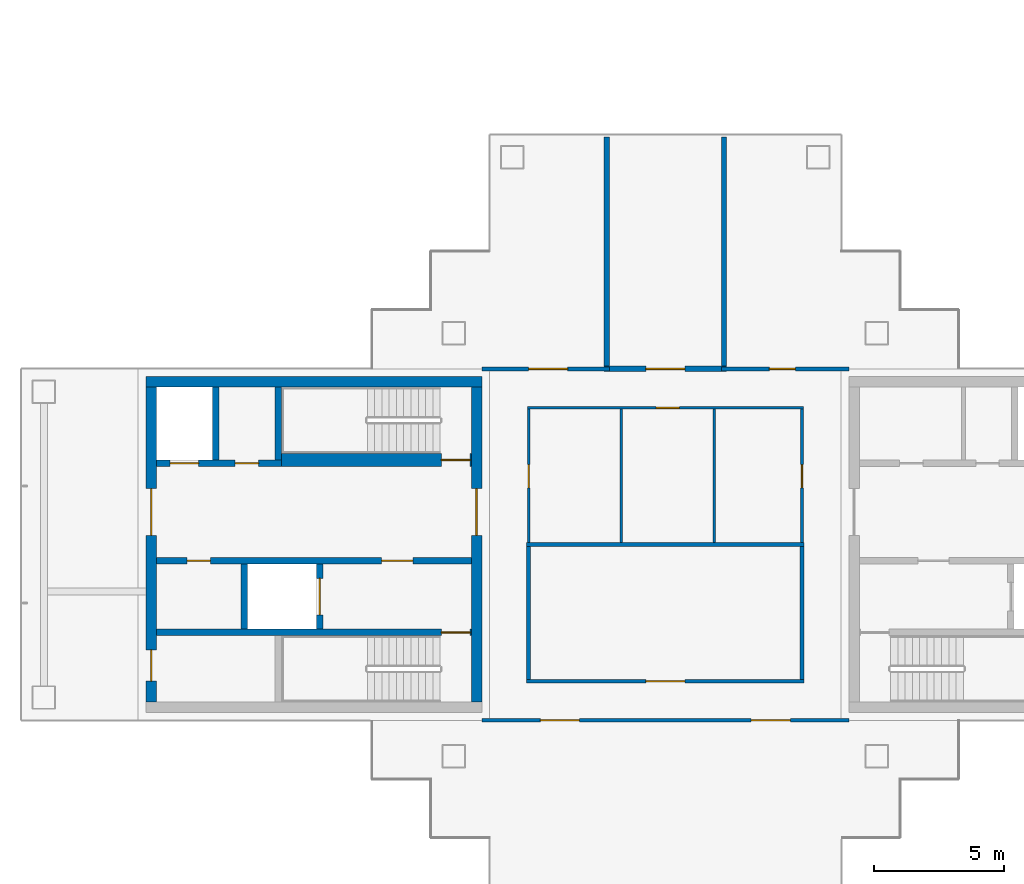
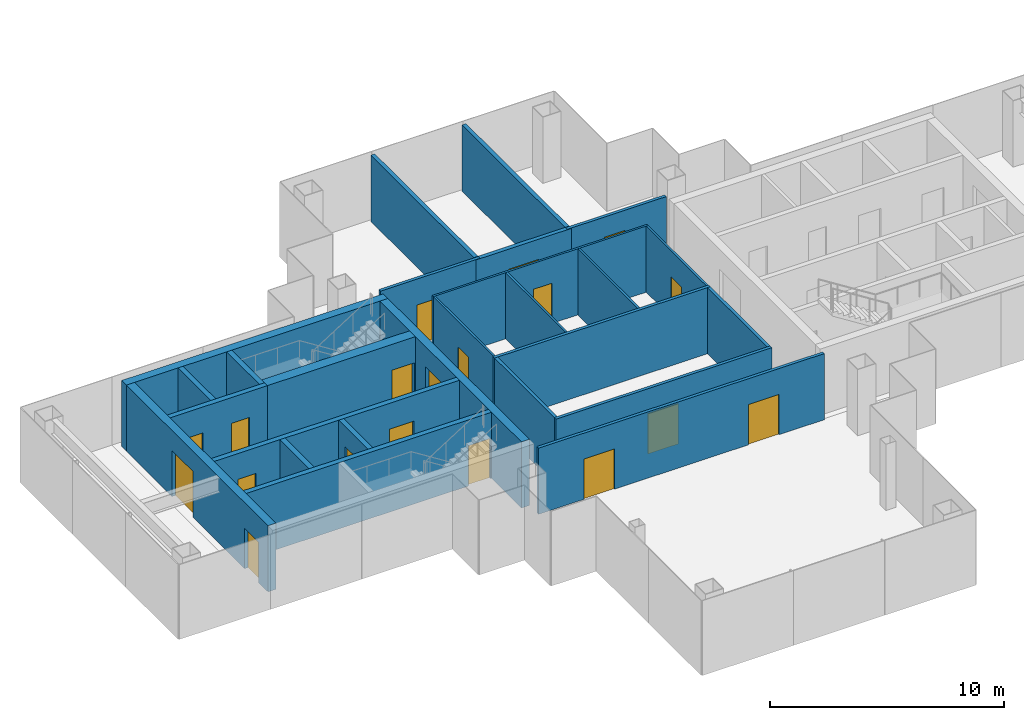
# One storey, part 9 of 15: 26 walls, 19 doors, 19 openings.
"""IFC4 building model written with IfcOpenShell, lengths in metres."""

from ifc_helpers import new_model, si_unit, direction, frame, frame_2d, origin, place, context, subcontext, project, spatial, rectangle, extrude, material, layer, layer_set, type_object, element, fill, save


model = new_model("IFC4")

# Units and contexts
model_context = context("Model", 3, precision=1e-05, world=origin(), true_north=direction((0.0, 1.0)))
body_context = subcontext(model_context, "Body", "Model", "MODEL_VIEW")
ifc_project = project(units=[si_unit("LENGTHUNIT", "METRE"), si_unit("AREAUNIT", "SQUARE_METRE"), si_unit("VOLUMEUNIT", "CUBIC_METRE"), si_unit("PLANEANGLEUNIT", "RADIAN"), si_unit("MASSUNIT", "GRAM", prefix="KILO")], contexts=[model_context])

# Site, building, storey
site_placement = place(None, origin())
site = spatial("IfcSite", under=ifc_project, at=site_placement, CompositionType="ELEMENT")
building_placement = place(site_placement, origin())
building = spatial("IfcBuilding", under=site, at=building_placement, Name="Shamsa Quay Exchange Towers", CompositionType="ELEMENT")
storey_placement = place(building_placement, frame((0.0, 0.0, 269.39990234375)))
storey = spatial("IfcBuildingStorey", under=building, at=storey_placement, Name="L65", CompositionType="ELEMENT", Elevation=269.39990234375)

# Wall, opening, door
ifc_material_1 = material(Name="Double-leaf gypsum board partition with acoustic insulation")
ifc_layer_1 = layer(ifc_material_1, 0.199951171875)
ifc_layer_set_1 = layer_set([ifc_layer_1], Name="Acoustic partition 200 mm EI 60")
wall_type_1 = type_object("IfcWallType", Name="Acoustic partition 200 mm EI 60", PredefinedType="PARTITIONING", material=ifc_layer_set_1)
wall_1_placement = place(storey_placement, frame((-36.10009765625, 6.75, 0.0)))
wall_1 = element("IfcWall", 1, at=wall_1_placement, inside=storey, type_object=wall_type_1, Name="Partition T1-R30-W09", PredefinedType="PARTITIONING", context=body_context, shape_type="SweptSolid", body=[
    extrude(rectangle(XDim=4.7001953125, YDim=0.199951171875, at=frame_2d((2.35009765625, 0.0))), origin(), (0.0, 0.0, 1.0), 3.4501953125),
])
opening_1_placement = place(wall_1_placement, frame((1.60009765625, 0.0, 0.0)))
opening_1 = element("IfcOpeningElement", 2, at=opening_1_placement, cuts=wall_1, Name="Opening T1-R30-D06", PredefinedType="OPENING", context=body_context, shape_type="SweptSolid", body=[
    extrude(rectangle(XDim=1.5, YDim=2.39990234375, at=frame_2d((0.75, 1.199951171875))), frame((0.0, 0.10986328125, 0.0), z_axis=(0.0, -1.0, 0.0), x_axis=(1.0, 0.0, 0.0)), (0.0, 0.0, 1.0), 0.219970703125),
])
ifc_material_2 = material(Name="Timber door leaf in a metal frame", Category="wood")
door_type_1 = type_object("IfcDoorType", Name="Door 1500x2400 FD30S pair", OperationType="NOTDEFINED", PredefinedType="DOOR", material=ifc_material_2)
door_1_placement = place(opening_1_placement, origin())
door_1 = element("IfcDoor", 3, at=door_1_placement, inside=storey, type_object=door_type_1, Name="Door T1-R30-D06", OperationType="DOUBLE_DOOR_SINGLE_SWING", OverallHeight=2.39990234375, OverallWidth=1.5, PredefinedType="DOOR", context=body_context, shape_type="SweptSolid", body=[
    extrude(rectangle(XDim=1.5, YDim=2.39990234375, at=frame_2d((0.75, 1.199951171875))), frame((0.0, 0.02490234375, 0.0), z_axis=(0.0, -1.0, 0.0), x_axis=(1.0, 0.0, 0.0)), (0.0, 0.0, 1.0), 0.050048828125),
])
fill(opening_1, door_1)

# Walls
for number, where, z_axis, x_axis, name in (
    (4, (-36.0, 6.85009765625, 0.0), (0.0, 0.0, 1.0), (0.0, 1.0, 0.0), "Partition T1-R30-W14"),
    (5, (-31.5, 6.85009765625, 0.0), (0.0, 0.0, 1.0), (0.0, 1.0, 0.0), "Partition T1-R30-W15"),
):
    element("IfcWall", number, at=place(storey_placement, frame(where, z_axis=z_axis, x_axis=x_axis)), inside=storey, type_object=wall_type_1, Name=name, PredefinedType="PARTITIONING", context=body_context, shape_type="SweptSolid", body=[
        extrude(rectangle(XDim=8.804931640625, YDim=0.199951171875, at=frame_2d((4.40234375, 0.0))), origin(), (0.0, 0.0, 1.0), 3.4501953125),
    ])
ifc_material_3 = material(Name="Concrete C60/75", Category="concrete")
ifc_layer_2 = layer(ifc_material_3, 0.39990234375)
ifc_layer_set_2 = layer_set([ifc_layer_2], Name="CORE WALL 400 C60/75")
wall_type_2 = type_object("IfcWallType", Name="CORE WALL 400 C60/75", PredefinedType="SHEAR", material=ifc_layer_set_2)
wall_2_placement = place(storey_placement, frame((-40.800048828125, 6.25, 0.0), z_axis=(0.0, 0.0, 1.0), x_axis=(-1.0, 0.0, 0.0)))
element("IfcWall", 6, at=wall_2_placement, inside=storey, type_object=wall_type_2, Name="Core wall T1B-R30-PN", PredefinedType="SHEAR", context=body_context, shape_type="SweptSolid", body=[
    extrude(rectangle(XDim=12.89990234375, YDim=0.39990234375, at=frame_2d((6.449951171875, 0.0))), origin(), (0.0, 0.0, 1.0), 3.4501953125),
])

# Wall, opening, door
wall_3_placement = place(storey_placement, frame((-41.0, -6.050048828125, 0.0), z_axis=(0.0, 0.0, 1.0), x_axis=(0.0, 1.0, 0.0)))
wall_3 = element("IfcWall", 7, at=wall_3_placement, inside=storey, type_object=wall_type_2, Name="Core wall T1B-R30-PF", PredefinedType="SHEAR", context=body_context, shape_type="SweptSolid", body=[
    extrude(rectangle(XDim=12.10009765625, YDim=0.39990234375, at=frame_2d((6.050048828125, 0.0))), origin(), (0.0, 0.0, 1.0), 3.4501953125),
])
opening_2_placement = place(wall_3_placement, frame((6.39990234375, 0.0, 0.0)))
opening_2 = element("IfcOpeningElement", 8, at=opening_2_placement, cuts=wall_3, Name="Opening T1B-R30-LBD01", PredefinedType="OPENING", context=body_context, shape_type="SweptSolid", body=[
    extrude(rectangle(XDim=1.800048828125, YDim=2.39990234375, at=frame_2d((0.89990234375, 1.199951171875))), frame((0.0, 0.2099609375, 0.0), z_axis=(0.0, -1.0, 0.0), x_axis=(1.0, 0.0, 0.0)), (0.0, 0.0, 1.0), 0.419921875),
])
ifc_material_4 = material(Name="Steel, fire rated", Category="steel")
door_type_2 = type_object("IfcDoorType", Name="LIFT LOBBY DOOR PAIR 1800", OperationType="DOUBLE_DOOR_SINGLE_SWING", PredefinedType="DOOR", material=ifc_material_4)
door_2_placement = place(opening_2_placement, origin())
door_2 = element("IfcDoor", 9, at=door_2_placement, inside=storey, type_object=door_type_2, Name="T1B-R30-LBD01", OperationType="DOUBLE_DOOR_SINGLE_SWING", OverallHeight=2.39990234375, OverallWidth=1.800048828125, PredefinedType="DOOR", context=body_context, shape_type="SweptSolid", body=[
    extrude(rectangle(XDim=1.800048828125, YDim=2.39990234375, at=frame_2d((0.89990234375, 1.199951171875))), frame((0.0, 0.02490234375, 0.0), z_axis=(0.0, -1.0, 0.0), x_axis=(1.0, 0.0, 0.0)), (0.0, 0.0, 1.0), 0.050048828125),
])
fill(opening_2, door_2)

# Wall, openings, doors
wall_4_placement = place(storey_placement, frame((-53.5, -6.050048828125, 0.0), z_axis=(0.0, 0.0, 1.0), x_axis=(0.0, 1.0, 0.0)))
wall_4 = element("IfcWall", 10, at=wall_4_placement, inside=storey, type_object=wall_type_2, Name="Core wall T1B-R30-PB", PredefinedType="SHEAR", context=body_context, shape_type="SweptSolid", body=[
    extrude(rectangle(XDim=12.10009765625, YDim=0.39990234375, at=frame_2d((6.050048828125, 0.0))), origin(), (0.0, 0.0, 1.0), 3.4501953125),
])
opening_3_placement = place(wall_4_placement, frame((0.800048828125, 0.0, 0.0)))
opening_3 = element("IfcOpeningElement", 11, at=opening_3_placement, cuts=wall_4, Name="Opening T1B-R30-RD02", PredefinedType="OPENING", context=body_context, shape_type="SweptSolid", body=[
    extrude(rectangle(XDim=1.199951171875, YDim=2.10009765625, at=frame_2d((0.60009765625, 1.050048828125))), frame((0.0, 0.2099609375, 0.0), z_axis=(0.0, -1.0, 0.0), x_axis=(1.0, 0.0, 0.0)), (0.0, 0.0, 1.0), 0.419921875),
])
opening_4_placement = place(wall_4_placement, frame((6.39990234375, 0.0, 0.0)))
opening_4 = element("IfcOpeningElement", 12, at=opening_4_placement, cuts=wall_4, Name="Opening T1B-R30-LBD03", PredefinedType="OPENING", context=body_context, shape_type="SweptSolid", body=[
    extrude(rectangle(XDim=1.800048828125, YDim=2.39990234375, at=frame_2d((0.89990234375, 1.199951171875))), frame((0.0, 0.2099609375, 0.0), z_axis=(0.0, -1.0, 0.0), x_axis=(1.0, 0.0, 0.0)), (0.0, 0.0, 1.0), 0.419921875),
])
door_3_placement = place(opening_4_placement, origin())
door_3 = element("IfcDoor", 13, at=door_3_placement, inside=storey, type_object=door_type_2, Name="T1B-R30-LBD03", OperationType="DOUBLE_DOOR_SINGLE_SWING", OverallHeight=2.39990234375, OverallWidth=1.800048828125, PredefinedType="DOOR", context=body_context, shape_type="SweptSolid", body=[
    extrude(rectangle(XDim=1.800048828125, YDim=2.39990234375, at=frame_2d((0.89990234375, 1.199951171875))), frame((0.0, 0.02490234375, 0.0), z_axis=(0.0, -1.0, 0.0), x_axis=(1.0, 0.0, 0.0)), (0.0, 0.0, 1.0), 0.050048828125),
])
fill(opening_4, door_3)
door_type_3 = type_object("IfcDoorType", Name="RISER ACCESS DOOR 1200", OperationType="SINGLE_SWING_LEFT", PredefinedType="DOOR", material=ifc_material_4)
door_4_placement = place(opening_3_placement, origin())
door_4 = element("IfcDoor", 14, at=door_4_placement, inside=storey, type_object=door_type_3, Name="T1B-R30-RD02", OperationType="SINGLE_SWING_LEFT", OverallHeight=2.10009765625, OverallWidth=1.199951171875, PredefinedType="DOOR", context=body_context, shape_type="SweptSolid", body=[
    extrude(rectangle(XDim=1.199951171875, YDim=2.10009765625, at=frame_2d((0.60009765625, 1.050048828125))), frame((0.0, 0.02490234375, 0.0), z_axis=(0.0, -1.0, 0.0), x_axis=(1.0, 0.0, 0.0)), (0.0, 0.0, 1.0), 0.050048828125),
])
fill(opening_3, door_4)

# Wall, opening, door
ifc_material_5 = material(Name="Gypsum board partition on metal studs")
ifc_layer_3 = layer(ifc_material_5, 0.10009765625)
ifc_layer_set_3 = layer_set([ifc_layer_3], Name="Partition 100 mm NOT RATED")
wall_type_3 = type_object("IfcWallType", Name="Partition 100 mm NOT RATED", PredefinedType="PARTITIONING", material=ifc_layer_set_3)
wall_5_placement = place(storey_placement, frame((-39.0, 5.199951171875, 0.0), z_axis=(0.0, 0.0, 1.0), x_axis=(0.0, -1.0, 0.0)))
wall_5 = element("IfcWall", 15, at=wall_5_placement, inside=storey, type_object=wall_type_3, Name="Partition T1-R30-W04", PredefinedType="PARTITIONING", context=body_context, shape_type="SweptSolid", body=[
    extrude(rectangle(XDim=5.125, YDim=0.10009765625, at=frame_2d((2.5625, 0.0))), origin(), (0.0, 0.0, 1.0), 3.4501953125),
])
opening_5_placement = place(wall_5_placement, frame((2.125, 0.0, 0.0)))
opening_5 = element("IfcOpeningElement", 16, at=opening_5_placement, cuts=wall_5, Name="Opening T1-R30-D05", PredefinedType="OPENING", context=body_context, shape_type="SweptSolid", body=[
    extrude(rectangle(XDim=0.89990234375, YDim=2.10009765625, at=frame_2d((0.449951171875, 1.050048828125))), frame((0.0, 0.06005859375, 0.0), z_axis=(0.0, -1.0, 0.0), x_axis=(1.0, 0.0, 0.0)), (0.0, 0.0, 1.0), 0.1201171875),
])
door_type_4 = type_object("IfcDoorType", Name="Door 900x2100 NOT RATED", OperationType="NOTDEFINED", PredefinedType="DOOR", material=ifc_material_2)
door_5_placement = place(opening_5_placement, origin())
door_5 = element("IfcDoor", 17, at=door_5_placement, inside=storey, type_object=door_type_4, Name="Door T1-R30-D05", OperationType="SINGLE_SWING_LEFT", OverallHeight=2.10009765625, OverallWidth=0.89990234375, PredefinedType="DOOR", context=body_context, shape_type="SweptSolid", body=[
    extrude(rectangle(XDim=0.89990234375, YDim=2.10009765625, at=frame_2d((0.449951171875, 1.050048828125))), frame((0.0, 0.02490234375, 0.0), z_axis=(0.0, -1.0, 0.0), x_axis=(1.0, 0.0, 0.0)), (0.0, 0.0, 1.0), 0.050048828125),
])
fill(opening_5, door_5)

wall_6_placement = place(storey_placement, frame((-28.449951171875, 5.25, 0.0), z_axis=(0.0, 0.0, 1.0), x_axis=(-1.0, 0.0, 0.0)))
wall_6 = element("IfcWall", 18, at=wall_6_placement, inside=storey, type_object=wall_type_3, Name="Partition T1-R30-W05", PredefinedType="PARTITIONING", context=body_context, shape_type="SweptSolid", body=[
    extrude(rectangle(XDim=10.60009765625, YDim=0.10009765625, at=frame_2d((5.300048828125, 0.0))), origin(), (0.0, 0.0, 1.0), 3.4501953125),
])
opening_6_placement = place(wall_6_placement, frame((4.756103515625, 0.0, 0.0)))
opening_6 = element("IfcOpeningElement", 19, at=opening_6_placement, cuts=wall_6, Name="Opening T1-R30-D09", PredefinedType="OPENING", context=body_context, shape_type="SweptSolid", body=[
    extrude(rectangle(XDim=0.89990234375, YDim=2.10009765625, at=frame_2d((0.449951171875, 1.050048828125))), frame((0.0, 0.06005859375, 0.0), z_axis=(0.0, -1.0, 0.0), x_axis=(1.0, 0.0, 0.0)), (0.0, 0.0, 1.0), 0.1201171875),
])
door_6_placement = place(opening_6_placement, origin())
door_6 = element("IfcDoor", 20, at=door_6_placement, inside=storey, type_object=door_type_4, Name="Door T1-R30-D09", OperationType="SINGLE_SWING_LEFT", OverallHeight=2.10009765625, OverallWidth=0.89990234375, PredefinedType="DOOR", context=body_context, shape_type="SweptSolid", body=[
    extrude(rectangle(XDim=0.89990234375, YDim=2.10009765625, at=frame_2d((0.449951171875, 1.050048828125))), frame((0.0, 0.02490234375, 0.0), z_axis=(0.0, -1.0, 0.0), x_axis=(1.0, 0.0, 0.0)), (0.0, 0.0, 1.0), 0.050048828125),
])
fill(opening_6, door_6)

wall_7_placement = place(storey_placement, frame((-28.5, 0.074951171875, 0.0), z_axis=(0.0, 0.0, 1.0), x_axis=(0.0, 1.0, 0.0)))
wall_7 = element("IfcWall", 21, at=wall_7_placement, inside=storey, type_object=wall_type_3, Name="Partition T1-R30-W06", PredefinedType="PARTITIONING", context=body_context, shape_type="SweptSolid", body=[
    extrude(rectangle(XDim=5.125, YDim=0.10009765625, at=frame_2d((2.5625, 0.0))), origin(), (0.0, 0.0, 1.0), 3.4501953125),
])
opening_7_placement = place(wall_7_placement, frame((2.10009765625, 0.0, 0.0)))
opening_7 = element("IfcOpeningElement", 22, at=opening_7_placement, cuts=wall_7, Name="Opening T1-R30-D08", PredefinedType="OPENING", context=body_context, shape_type="SweptSolid", body=[
    extrude(rectangle(XDim=0.89990234375, YDim=2.10009765625, at=frame_2d((0.449951171875, 1.050048828125))), frame((0.0, 0.06005859375, 0.0), z_axis=(0.0, -1.0, 0.0), x_axis=(1.0, 0.0, 0.0)), (0.0, 0.0, 1.0), 0.1201171875),
])
door_7_placement = place(opening_7_placement, origin())
door_7 = element("IfcDoor", 23, at=door_7_placement, inside=storey, type_object=door_type_4, Name="Door T1-R30-D08", OperationType="SINGLE_SWING_RIGHT", OverallHeight=2.10009765625, OverallWidth=0.89990234375, PredefinedType="DOOR", context=body_context, shape_type="SweptSolid", body=[
    extrude(rectangle(XDim=0.89990234375, YDim=2.10009765625, at=frame_2d((0.449951171875, 1.050048828125))), frame((0.0, 0.02490234375, 0.0), z_axis=(0.0, -1.0, 0.0), x_axis=(1.0, 0.0, 0.0)), (0.0, 0.0, 1.0), 0.050048828125),
])
fill(opening_7, door_7)

# Walls
for number, where, z_axis, x_axis, name in (
    (24, (-35.4375, 0.074951171875, 0.0), (0.0, 0.0, 1.0), (0.0, 1.0, 0.0), "Partition T1-R30-W12"),
    (25, (-31.875, 0.074951171875, 0.0), (0.0, 0.0, 1.0), (0.0, 1.0, 0.0), "Partition T1-R30-W13"),
):
    element("IfcWall", number, at=place(storey_placement, frame(where, z_axis=z_axis, x_axis=x_axis)), inside=storey, type_object=wall_type_3, Name=name, PredefinedType="PARTITIONING", context=body_context, shape_type="SweptSolid", body=[
        extrude(rectangle(XDim=5.125, YDim=0.10009765625, at=frame_2d((2.5625, 0.0))), origin(), (0.0, 0.0, 1.0), 3.4501953125),
    ])
ifc_layer_4 = layer(ifc_material_5, 0.14990234375)
ifc_layer_set_4 = layer_set([ifc_layer_4], Name="Partition 150 mm EI 60")
wall_type_4 = type_object("IfcWallType", Name="Partition 150 mm EI 60", PredefinedType="PARTITIONING", material=ifc_layer_set_4)
wall_8_placement = place(storey_placement, frame((-39.0, -0.074951171875, 0.0), z_axis=(0.0, 0.0, 1.0), x_axis=(0.0, -1.0, 0.0)))
element("IfcWall", 26, at=wall_8_placement, inside=storey, type_object=wall_type_4, Name="Partition T1-R30-W01", PredefinedType="PARTITIONING", context=body_context, shape_type="SweptSolid", body=[
    extrude(rectangle(XDim=5.10009765625, YDim=0.14990234375, at=frame_2d((2.550048828125, 0.0))), origin(), (0.0, 0.0, 1.0), 3.4501953125),
])

# Wall, opening, door
wall_9_placement = place(storey_placement, frame((-39.074951171875, -5.25, 0.0)))
wall_9 = element("IfcWall", 27, at=wall_9_placement, inside=storey, type_object=wall_type_4, Name="Partition T1-R30-W02", PredefinedType="PARTITIONING", context=body_context, shape_type="SweptSolid", body=[
    extrude(rectangle(XDim=10.64990234375, YDim=0.14990234375, at=frame_2d((5.324951171875, 0.0))), origin(), (0.0, 0.0, 1.0), 3.4501953125),
])
opening_8_placement = place(wall_9_placement, frame((4.574951171875, 0.0, 0.0)))
opening_8 = element("IfcOpeningElement", 28, at=opening_8_placement, cuts=wall_9, Name="Opening T1-R30-D04", PredefinedType="OPENING", context=body_context, shape_type="SweptSolid", body=[
    extrude(rectangle(XDim=1.5, YDim=2.10009765625, at=frame_2d((0.75, 1.050048828125))), frame((0.0, 0.0849609375, 0.0), z_axis=(0.0, -1.0, 0.0), x_axis=(1.0, 0.0, 0.0)), (0.0, 0.0, 1.0), 0.169921875),
])
door_type_5 = type_object("IfcDoorType", Name="Door 1500x2100 FD30S pair", OperationType="NOTDEFINED", PredefinedType="DOOR", material=ifc_material_2)
door_8_placement = place(opening_8_placement, origin())
door_8 = element("IfcDoor", 29, at=door_8_placement, inside=storey, type_object=door_type_5, Name="Door T1-R30-D04", OperationType="DOUBLE_DOOR_SINGLE_SWING", OverallHeight=2.10009765625, OverallWidth=1.5, PredefinedType="DOOR", context=body_context, shape_type="SweptSolid", body=[
    extrude(rectangle(XDim=1.5, YDim=2.10009765625, at=frame_2d((0.75, 1.050048828125))), frame((0.0, 0.02490234375, 0.0), z_axis=(0.0, -1.0, 0.0), x_axis=(1.0, 0.0, 0.0)), (0.0, 0.0, 1.0), 0.050048828125),
])
fill(opening_8, door_8)

# Wall
wall_10_placement = place(storey_placement, frame((-28.5, -5.175048828125, 0.0), z_axis=(0.0, 0.0, 1.0), x_axis=(0.0, 1.0, 0.0)))
element("IfcWall", 30, at=wall_10_placement, inside=storey, type_object=wall_type_4, Name="Partition T1-R30-W03", PredefinedType="PARTITIONING", context=body_context, shape_type="SweptSolid", body=[
    extrude(rectangle(XDim=5.10009765625, YDim=0.14990234375, at=frame_2d((2.550048828125, 0.0))), origin(), (0.0, 0.0, 1.0), 3.4501953125),
])

# Wall, opening, door
wall_11_placement = place(storey_placement, frame((-40.800048828125, 6.75, 0.0)))
wall_11 = element("IfcWall", 31, at=wall_11_placement, inside=storey, type_object=wall_type_4, Name="Partition T1-R30-W07", PredefinedType="PARTITIONING", context=body_context, shape_type="SweptSolid", body=[
    extrude(rectangle(XDim=4.900146484375, YDim=0.14990234375, at=frame_2d((2.4501953125, 0.0))), origin(), (0.0, 0.0, 1.0), 3.4501953125),
])
opening_9_placement = place(wall_11_placement, frame((1.800048828125, 0.0, 0.0)))
opening_9 = element("IfcOpeningElement", 32, at=opening_9_placement, cuts=wall_11, Name="Opening T1-R30-D03", PredefinedType="OPENING", context=body_context, shape_type="SweptSolid", body=[
    extrude(rectangle(XDim=1.5, YDim=2.10009765625, at=frame_2d((0.75, 1.050048828125))), frame((0.0, 0.0849609375, 0.0), z_axis=(0.0, -1.0, 0.0), x_axis=(1.0, 0.0, 0.0)), (0.0, 0.0, 1.0), 0.169921875),
])
door_9_placement = place(opening_9_placement, origin())
door_9 = element("IfcDoor", 33, at=door_9_placement, inside=storey, type_object=door_type_5, Name="Door T1-R30-D03", OperationType="DOUBLE_DOOR_SINGLE_SWING", OverallHeight=2.10009765625, OverallWidth=1.5, PredefinedType="DOOR", context=body_context, shape_type="SweptSolid", body=[
    extrude(rectangle(XDim=1.5, YDim=2.10009765625, at=frame_2d((0.75, 1.050048828125))), frame((0.0, 0.02490234375, 0.0), z_axis=(0.0, -1.0, 0.0), x_axis=(1.0, 0.0, 0.0)), (0.0, 0.0, 1.0), 0.050048828125),
])
fill(opening_9, door_9)

wall_12_placement = place(storey_placement, frame((-31.60009765625, 6.75, 0.0)))
wall_12 = element("IfcWall", 34, at=wall_12_placement, inside=storey, type_object=wall_type_4, Name="Partition T1-R30-W08", PredefinedType="PARTITIONING", context=body_context, shape_type="SweptSolid", body=[
    extrude(rectangle(XDim=4.900146484375, YDim=0.14990234375, at=frame_2d((2.4501953125, 0.0))), origin(), (0.0, 0.0, 1.0), 3.4501953125),
])
opening_10_placement = place(wall_12_placement, frame((1.85009765625, 0.0, 0.0)))
opening_10 = element("IfcOpeningElement", 35, at=opening_10_placement, cuts=wall_12, Name="Opening T1-R30-D07", PredefinedType="OPENING", context=body_context, shape_type="SweptSolid", body=[
    extrude(rectangle(XDim=1.0, YDim=2.39990234375, at=frame_2d((0.5, 1.199951171875))), frame((0.0, 0.0849609375, 0.0), z_axis=(0.0, -1.0, 0.0), x_axis=(1.0, 0.0, 0.0)), (0.0, 0.0, 1.0), 0.169921875),
])
door_type_6 = type_object("IfcDoorType", Name="Door 1000x2400 FD30S", OperationType="NOTDEFINED", PredefinedType="DOOR", material=ifc_material_2)
door_10_placement = place(opening_10_placement, origin())
door_10 = element("IfcDoor", 36, at=door_10_placement, inside=storey, type_object=door_type_6, Name="Door T1-R30-D07", OperationType="SINGLE_SWING_RIGHT", OverallHeight=2.39990234375, OverallWidth=1.0, PredefinedType="DOOR", context=body_context, shape_type="SweptSolid", body=[
    extrude(rectangle(XDim=1.0, YDim=2.39990234375, at=frame_2d((0.5, 1.199951171875))), frame((0.0, 0.02490234375, 0.0), z_axis=(0.0, -1.0, 0.0), x_axis=(1.0, 0.0, 0.0)), (0.0, 0.0, 1.0), 0.050048828125),
])
fill(opening_10, door_10)

# Wall, openings, doors
wall_13_placement = place(storey_placement, frame((-40.800048828125, -6.75, 0.0)))
wall_13 = element("IfcWall", 37, at=wall_13_placement, inside=storey, type_object=wall_type_4, Name="Partition T1-R30-W10", PredefinedType="PARTITIONING", context=body_context, shape_type="SweptSolid", body=[
    extrude(rectangle(XDim=14.10009765625, YDim=0.14990234375, at=frame_2d((7.050048828125, 0.0))), origin(), (0.0, 0.0, 1.0), 3.4501953125),
])
opening_11_placement = place(wall_13_placement, frame((2.25, 0.0, 0.0)))
opening_11 = element("IfcOpeningElement", 38, at=opening_11_placement, cuts=wall_13, Name="Opening T1-R30-D01", PredefinedType="OPENING", context=body_context, shape_type="SweptSolid", body=[
    extrude(rectangle(XDim=1.5, YDim=2.10009765625, at=frame_2d((0.75, 1.050048828125))), frame((0.0, 0.0849609375, 0.0), z_axis=(0.0, -1.0, 0.0), x_axis=(1.0, 0.0, 0.0)), (0.0, 0.0, 1.0), 0.169921875),
])
opening_12_placement = place(wall_13_placement, frame((10.35009765625, 0.0, 0.0)))
opening_12 = element("IfcOpeningElement", 39, at=opening_12_placement, cuts=wall_13, Name="Opening T1-R30-D02", PredefinedType="OPENING", context=body_context, shape_type="SweptSolid", body=[
    extrude(rectangle(XDim=1.5, YDim=2.10009765625, at=frame_2d((0.75, 1.050048828125))), frame((0.0, 0.0849609375, 0.0), z_axis=(0.0, -1.0, 0.0), x_axis=(1.0, 0.0, 0.0)), (0.0, 0.0, 1.0), 0.169921875),
])
door_11_placement = place(opening_11_placement, origin())
door_11 = element("IfcDoor", 40, at=door_11_placement, inside=storey, type_object=door_type_5, Name="Door T1-R30-D01", OperationType="DOUBLE_DOOR_SINGLE_SWING", OverallHeight=2.10009765625, OverallWidth=1.5, PredefinedType="DOOR", context=body_context, shape_type="SweptSolid", body=[
    extrude(rectangle(XDim=1.5, YDim=2.10009765625, at=frame_2d((0.75, 1.050048828125))), frame((0.0, 0.02490234375, 0.0), z_axis=(0.0, -1.0, 0.0), x_axis=(1.0, 0.0, 0.0)), (0.0, 0.0, 1.0), 0.050048828125),
])
fill(opening_11, door_11)
door_12_placement = place(opening_12_placement, origin())
door_12 = element("IfcDoor", 41, at=door_12_placement, inside=storey, type_object=door_type_5, Name="Door T1-R30-D02", OperationType="DOUBLE_DOOR_SINGLE_SWING", OverallHeight=2.10009765625, OverallWidth=1.5, PredefinedType="DOOR", context=body_context, shape_type="SweptSolid", body=[
    extrude(rectangle(XDim=1.5, YDim=2.10009765625, at=frame_2d((0.75, 1.050048828125))), frame((0.0, 0.02490234375, 0.0), z_axis=(0.0, -1.0, 0.0), x_axis=(1.0, 0.0, 0.0)), (0.0, 0.0, 1.0), 0.050048828125),
])
fill(opening_12, door_12)

# Wall
wall_14_placement = place(storey_placement, frame((-28.425048828125, 0.0, 0.0), z_axis=(0.0, 0.0, 1.0), x_axis=(-1.0, 0.0, 0.0)))
element("IfcWall", 42, at=wall_14_placement, inside=storey, type_object=wall_type_4, Name="Partition T1-R30-W11", PredefinedType="PARTITIONING", context=body_context, shape_type="SweptSolid", body=[
    extrude(rectangle(XDim=10.64990234375, YDim=0.14990234375, at=frame_2d((5.324951171875, 0.0))), origin(), (0.0, 0.0, 1.0), 3.4501953125),
])

# Wall, opening, door
ifc_material_6 = material(Name="Concrete C50/60", Category="concrete")
ifc_layer_5 = layer(ifc_material_6, 0.25)
ifc_layer_set_5 = layer_set([ifc_layer_5], Name="SHAFT WALL 250 C50/60")
wall_type_5 = type_object("IfcWallType", Name="SHAFT WALL 250 C50/60", PredefinedType="SHEAR", material=ifc_layer_set_5)
wall_15_placement = place(storey_placement, frame((-41.199951171875, -3.375, 0.0), z_axis=(0.0, 0.0, 1.0), x_axis=(-1.0, 0.0, 0.0)))
wall_15 = element("IfcWall", 43, at=wall_15_placement, inside=storey, type_object=wall_type_5, Name="Shaft wall T1B-R30-STL", PredefinedType="SHEAR", context=body_context, shape_type="SweptSolid", body=[
    extrude(rectangle(XDim=12.10009765625, YDim=0.25, at=frame_2d((6.050048828125, 0.0))), origin(), (0.0, 0.0, 1.0), 3.4501953125),
])
opening_13_placement = place(wall_15_placement, frame((0.050048828125, 0.0, 0.0)))
opening_13 = element("IfcOpeningElement", 44, at=opening_13_placement, cuts=wall_15, Name="Opening T1B-R30-SD04", PredefinedType="OPENING", context=body_context, shape_type="SweptSolid", body=[
    extrude(rectangle(XDim=1.10009765625, YDim=2.10009765625, at=frame_2d((0.550048828125, 1.050048828125))), frame((0.0, 0.135009765625, 0.0), z_axis=(0.0, -1.0, 0.0), x_axis=(1.0, 0.0, 0.0)), (0.0, 0.0, 1.0), 0.27001953125),
])
door_type_7 = type_object("IfcDoorType", Name="STAIR DOOR 1100", OperationType="SINGLE_SWING_LEFT", PredefinedType="DOOR", material=ifc_material_4)
door_13_placement = place(opening_13_placement, origin())
door_13 = element("IfcDoor", 45, at=door_13_placement, inside=storey, type_object=door_type_7, Name="T1B-R30-SD04", OperationType="SINGLE_SWING_LEFT", OverallHeight=2.10009765625, OverallWidth=1.10009765625, PredefinedType="DOOR", context=body_context, shape_type="SweptSolid", body=[
    extrude(rectangle(XDim=1.10009765625, YDim=2.10009765625, at=frame_2d((0.550048828125, 1.050048828125))), frame((0.0, 0.02490234375, 0.0), z_axis=(0.0, -1.0, 0.0), x_axis=(1.0, 0.0, 0.0)), (0.0, 0.0, 1.0), 0.050048828125),
])
fill(opening_13, door_13)

# Wall, openings, doors
wall_16_placement = place(storey_placement, frame((-41.199951171875, -0.625, 0.0), z_axis=(0.0, 0.0, 1.0), x_axis=(-1.0, 0.0, 0.0)))
wall_16 = element("IfcWall", 46, at=wall_16_placement, inside=storey, type_object=wall_type_5, Name="Shaft wall T1B-R30-B", PredefinedType="SHEAR", context=body_context, shape_type="SweptSolid", body=[
    extrude(rectangle(XDim=12.10009765625, YDim=0.25, at=frame_2d((6.050048828125, 0.0))), origin(), (0.0, 0.0, 1.0), 3.4501953125),
])
opening_14_placement = place(wall_16_placement, frame((2.25, 0.0, 0.0)))
opening_14 = element("IfcOpeningElement", 47, at=opening_14_placement, cuts=wall_16, Name="Opening T1B-R30-FD05", PredefinedType="OPENING", context=body_context, shape_type="SweptSolid", body=[
    extrude(rectangle(XDim=1.199951171875, YDim=2.10009765625, at=frame_2d((0.60009765625, 1.050048828125))), frame((0.0, 0.135009765625, 0.0), z_axis=(0.0, -1.0, 0.0), x_axis=(1.0, 0.0, 0.0)), (0.0, 0.0, 1.0), 0.27001953125),
])
opening_15_placement = place(wall_16_placement, frame((10.02490234375, 0.0, 0.0)))
opening_15 = element("IfcOpeningElement", 48, at=opening_15_placement, cuts=wall_16, Name="Opening T1B-R30-SV06", PredefinedType="OPENING", context=body_context, shape_type="SweptSolid", body=[
    extrude(rectangle(XDim=0.89990234375, YDim=2.10009765625, at=frame_2d((0.449951171875, 1.050048828125))), frame((0.0, 0.135009765625, 0.0), z_axis=(0.0, -1.0, 0.0), x_axis=(1.0, 0.0, 0.0)), (0.0, 0.0, 1.0), 0.27001953125),
])
door_type_8 = type_object("IfcDoorType", Name="FIRE SERVICE LOBBY DOOR 1200", OperationType="SINGLE_SWING_LEFT", PredefinedType="DOOR", material=ifc_material_4)
door_14_placement = place(opening_14_placement, origin())
door_14 = element("IfcDoor", 49, at=door_14_placement, inside=storey, type_object=door_type_8, Name="T1B-R30-FD05", OperationType="SINGLE_SWING_LEFT", OverallHeight=2.10009765625, OverallWidth=1.199951171875, PredefinedType="DOOR", context=body_context, shape_type="SweptSolid", body=[
    extrude(rectangle(XDim=1.199951171875, YDim=2.10009765625, at=frame_2d((0.60009765625, 1.050048828125))), frame((0.0, 0.02490234375, 0.0), z_axis=(0.0, -1.0, 0.0), x_axis=(1.0, 0.0, 0.0)), (0.0, 0.0, 1.0), 0.050048828125),
])
fill(opening_14, door_14)
door_type_9 = type_object("IfcDoorType", Name="SERVICE ROOM DOOR 900", OperationType="SINGLE_SWING_LEFT", PredefinedType="DOOR", material=ifc_material_4)
door_15_placement = place(opening_15_placement, origin())
door_15 = element("IfcDoor", 50, at=door_15_placement, inside=storey, type_object=door_type_9, Name="T1B-R30-SV06", OperationType="SINGLE_SWING_RIGHT", OverallHeight=2.10009765625, OverallWidth=0.89990234375, PredefinedType="DOOR", context=body_context, shape_type="SweptSolid", body=[
    extrude(rectangle(XDim=0.89990234375, YDim=2.10009765625, at=frame_2d((0.449951171875, 1.050048828125))), frame((0.0, 0.02490234375, 0.0), z_axis=(0.0, -1.0, 0.0), x_axis=(1.0, 0.0, 0.0)), (0.0, 0.0, 1.0), 0.050048828125),
])
fill(opening_15, door_15)

# Wall, opening, door
wall_17_placement = place(storey_placement, frame((-47.02490234375, -3.25, 0.0), z_axis=(0.0, 0.0, 1.0), x_axis=(0.0, 1.0, 0.0)))
wall_17 = element("IfcWall", 51, at=wall_17_placement, inside=storey, type_object=wall_type_5, Name="Shaft wall T1B-R30-FFF", PredefinedType="SHEAR", context=body_context, shape_type="SweptSolid", body=[
    extrude(rectangle(XDim=2.5, YDim=0.25, at=frame_2d((1.25, 0.0))), origin(), (0.0, 0.0, 1.0), 3.4501953125),
])
opening_16_placement = place(wall_17_placement, frame((0.550048828125, 0.0, 0.0)))
opening_16 = element("IfcOpeningElement", 52, at=opening_16_placement, cuts=wall_17, Name="Opening T1B-R30-LDG07", PredefinedType="OPENING", context=body_context, shape_type="SweptSolid", body=[
    extrude(rectangle(XDim=1.39990234375, YDim=2.39990234375, at=frame_2d((0.699951171875, 1.199951171875))), frame((0.0, 0.135009765625, 0.0), z_axis=(0.0, -1.0, 0.0), x_axis=(1.0, 0.0, 0.0)), (0.0, 0.0, 1.0), 0.27001953125),
])
door_type_10 = type_object("IfcDoorType", Name="GOODS LIFT LANDING DOOR 1400", OperationType="SLIDING_TO_LEFT", PredefinedType="DOOR", material=ifc_material_4)
door_16_placement = place(opening_16_placement, origin())
door_16 = element("IfcDoor", 53, at=door_16_placement, inside=storey, type_object=door_type_10, Name="T1B-R30-LDG07", OperationType="SLIDING_TO_LEFT", OverallHeight=2.39990234375, OverallWidth=1.39990234375, PredefinedType="DOOR", context=body_context, shape_type="SweptSolid", body=[
    extrude(rectangle(XDim=1.39990234375, YDim=2.39990234375, at=frame_2d((0.699951171875, 1.199951171875))), frame((0.0, 0.02490234375, 0.0), z_axis=(0.0, -1.0, 0.0), x_axis=(1.0, 0.0, 0.0)), (0.0, 0.0, 1.0), 0.050048828125),
])
fill(opening_16, door_16)

# Wall
wall_18_placement = place(storey_placement, frame((-49.925048828125, -3.25, 0.0), z_axis=(0.0, 0.0, 1.0), x_axis=(0.0, 1.0, 0.0)))
element("IfcWall", 54, at=wall_18_placement, inside=storey, type_object=wall_type_5, Name="Shaft wall T1B-R30-FFB", PredefinedType="SHEAR", context=body_context, shape_type="SweptSolid", body=[
    extrude(rectangle(XDim=2.5, YDim=0.25, at=frame_2d((1.25, 0.0))), origin(), (0.0, 0.0, 1.0), 3.4501953125),
])

# Wall, openings, doors
wall_19_placement = place(storey_placement, frame((-53.300048828125, 3.125, 0.0)))
wall_19 = element("IfcWall", 55, at=wall_19_placement, inside=storey, type_object=wall_type_5, Name="Shaft wall T1B-R30-N2", PredefinedType="SHEAR", context=body_context, shape_type="SweptSolid", body=[
    extrude(rectangle(XDim=4.800048828125, YDim=0.25, at=frame_2d((2.39990234375, 0.0))), origin(), (0.0, 0.0, 1.0), 3.4501953125),
])
opening_17_placement = place(wall_19_placement, frame((0.52490234375, 0.0, 0.0)))
opening_17 = element("IfcOpeningElement", 56, at=opening_17_placement, cuts=wall_19, Name="Opening T1B-R30-LD09", PredefinedType="OPENING", context=body_context, shape_type="SweptSolid", body=[
    extrude(rectangle(XDim=1.10009765625, YDim=2.10009765625, at=frame_2d((0.550048828125, 1.050048828125))), frame((0.0, 0.135009765625, 0.0), z_axis=(0.0, -1.0, 0.0), x_axis=(1.0, 0.0, 0.0)), (0.0, 0.0, 1.0), 0.27001953125),
])
opening_18_placement = place(wall_19_placement, frame((3.02490234375, 0.0, 0.0)))
opening_18 = element("IfcOpeningElement", 57, at=opening_18_placement, cuts=wall_19, Name="Opening T1B-R30-SV10", PredefinedType="OPENING", context=body_context, shape_type="SweptSolid", body=[
    extrude(rectangle(XDim=0.89990234375, YDim=2.10009765625, at=frame_2d((0.449951171875, 1.050048828125))), frame((0.0, 0.135009765625, 0.0), z_axis=(0.0, -1.0, 0.0), x_axis=(1.0, 0.0, 0.0)), (0.0, 0.0, 1.0), 0.27001953125),
])
door_type_11 = type_object("IfcDoorType", Name="LANDING DOOR 1100", OperationType="SLIDING_TO_LEFT", PredefinedType="DOOR", material=ifc_material_4)
door_17_placement = place(opening_17_placement, origin())
door_17 = element("IfcDoor", 58, at=door_17_placement, inside=storey, type_object=door_type_11, Name="T1B-R30-LD09", OperationType="SLIDING_TO_LEFT", OverallHeight=2.10009765625, OverallWidth=1.10009765625, PredefinedType="DOOR", context=body_context, shape_type="SweptSolid", body=[
    extrude(rectangle(XDim=1.10009765625, YDim=2.10009765625, at=frame_2d((0.550048828125, 1.050048828125))), frame((0.0, 0.02490234375, 0.0), z_axis=(0.0, -1.0, 0.0), x_axis=(1.0, 0.0, 0.0)), (0.0, 0.0, 1.0), 0.050048828125),
])
fill(opening_17, door_17)
door_18_placement = place(opening_18_placement, origin())
door_18 = element("IfcDoor", 59, at=door_18_placement, inside=storey, type_object=door_type_9, Name="T1B-R30-SV10", OperationType="SINGLE_SWING_RIGHT", OverallHeight=2.10009765625, OverallWidth=0.89990234375, PredefinedType="DOOR", context=body_context, shape_type="SweptSolid", body=[
    extrude(rectangle(XDim=0.89990234375, YDim=2.10009765625, at=frame_2d((0.449951171875, 1.050048828125))), frame((0.0, 0.02490234375, 0.0), z_axis=(0.0, -1.0, 0.0), x_axis=(1.0, 0.0, 0.0)), (0.0, 0.0, 1.0), 0.050048828125),
])
fill(opening_18, door_18)

# Walls
for number, where, z_axis, x_axis, name in (
    (60, (-48.625, 3.25, 0.0), (0.0, 0.0, 1.0), (0.0, 1.0, 0.0), "Shaft wall T1B-R30-STF2"),
    (61, (-51.02490234375, 3.25, 0.0), (0.0, 0.0, 1.0), (0.0, 1.0, 0.0), "Shaft wall T1B-R30-D0"),
):
    element("IfcWall", number, at=place(storey_placement, frame(where, z_axis=z_axis, x_axis=x_axis)), inside=storey, type_object=wall_type_5, Name=name, PredefinedType="SHEAR", context=body_context, shape_type="SweptSolid", body=[
        extrude(rectangle(XDim=2.800048828125, YDim=0.25, at=frame_2d((1.39990234375, 0.0))), origin(), (0.0, 0.0, 1.0), 3.4501953125),
    ])

# Wall, opening, door
ifc_layer_6 = layer(ifc_material_6, 0.5)
ifc_layer_set_6 = layer_set([ifc_layer_6], Name="SHAFT WALL 500 C50/60")
wall_type_6 = type_object("IfcWallType", Name="SHAFT WALL 500 C50/60", PredefinedType="SHEAR", material=ifc_layer_set_6)
wall_20_placement = place(storey_placement, frame((-48.5, 3.25, 0.0)))
wall_20 = element("IfcWall", 62, at=wall_20_placement, inside=storey, type_object=wall_type_6, Name="Shaft wall T1B-R30-N", PredefinedType="SHEAR", context=body_context, shape_type="SweptSolid", body=[
    extrude(rectangle(XDim=7.300048828125, YDim=0.5, at=frame_2d((3.64990234375, 0.0))), origin(), (0.0, 0.0, 1.0), 3.4501953125),
])
opening_19_placement = place(wall_20_placement, frame((6.14990234375, 0.0, 0.0)))
opening_19 = element("IfcOpeningElement", 63, at=opening_19_placement, cuts=wall_20, Name="Opening T1B-R30-SD08", PredefinedType="OPENING", context=body_context, shape_type="SweptSolid", body=[
    extrude(rectangle(XDim=1.10009765625, YDim=2.10009765625, at=frame_2d((0.550048828125, 1.050048828125))), frame((0.0, 0.260009765625, 0.0), z_axis=(0.0, -1.0, 0.0), x_axis=(1.0, 0.0, 0.0)), (0.0, 0.0, 1.0), 0.52001953125),
])
door_19_placement = place(opening_19_placement, origin())
door_19 = element("IfcDoor", 64, at=door_19_placement, inside=storey, type_object=door_type_7, Name="T1B-R30-SD08", OperationType="SINGLE_SWING_RIGHT", OverallHeight=2.10009765625, OverallWidth=1.10009765625, PredefinedType="DOOR", context=body_context, shape_type="SweptSolid", body=[
    extrude(rectangle(XDim=1.10009765625, YDim=2.10009765625, at=frame_2d((0.550048828125, 1.050048828125))), frame((0.0, 0.02490234375, 0.0), z_axis=(0.0, -1.0, 0.0), x_axis=(1.0, 0.0, 0.0)), (0.0, 0.0, 1.0), 0.050048828125),
])
fill(opening_19, door_19)

save(model, "model.ifc")
